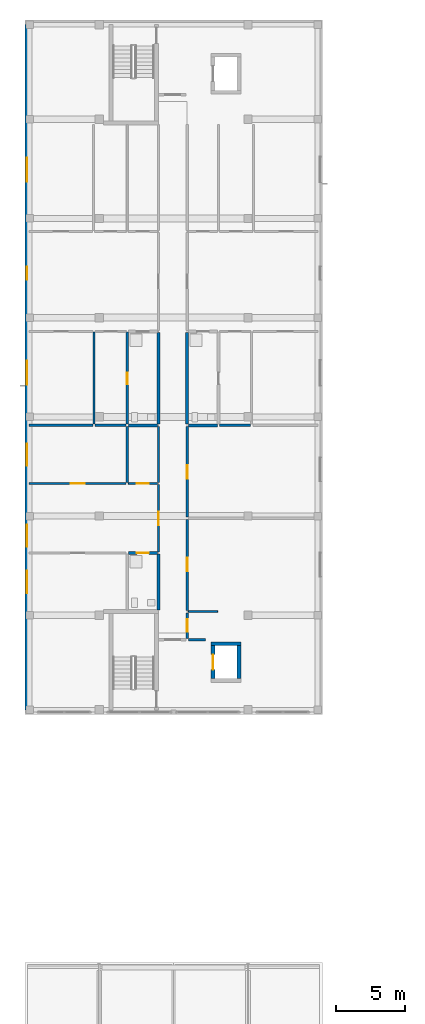
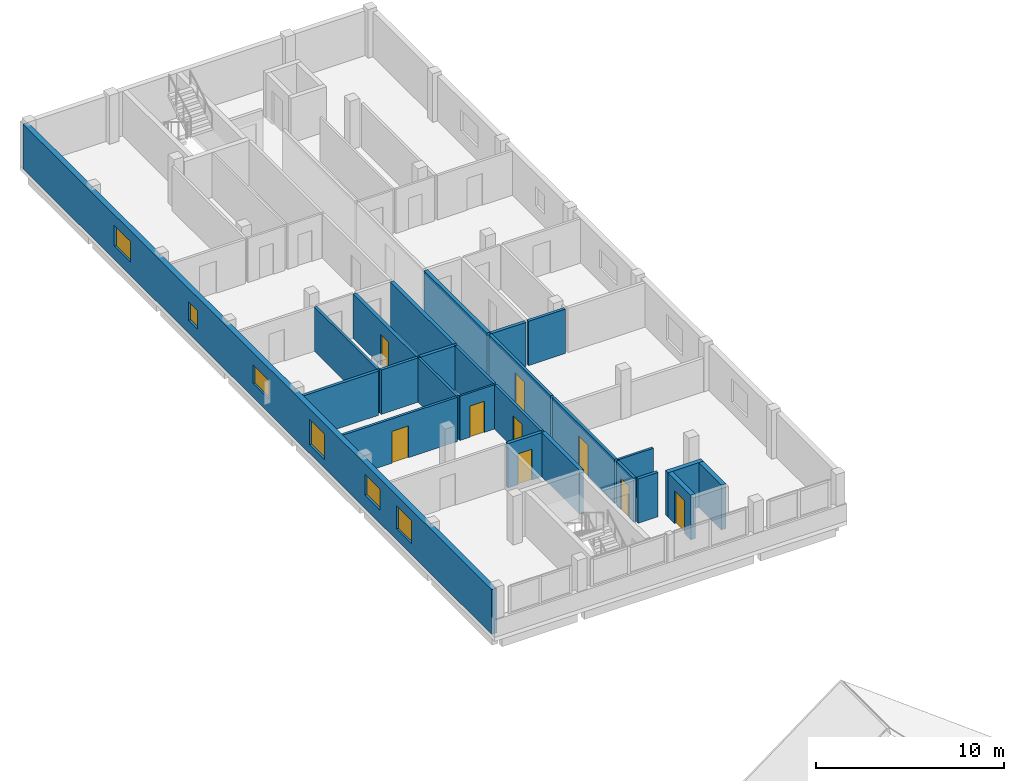
# One storey, part 12 of 35: 25 walls, 9 doors, 6 windows, 15 openings.
"""IFC4 building model written with IfcOpenShell, lengths in metres."""

from ifc_helpers import new_model, si_unit, derived_unit, direction, frame, frame_2d, origin, place, context, subcontext, project, spatial, rectangle, extrude, material, layer, layer_set, type_object, element, fill, save


model = new_model("IFC4")

# Units and contexts
model_context = context("Model", 3, precision=1e-05, world=origin(), true_north=direction((0.0, 1.0)))
body_context = subcontext(model_context, "Body", "Model", "MODEL_VIEW")
ifc_project = project(units=[si_unit("LENGTHUNIT", "METRE"), si_unit("AREAUNIT", "SQUARE_METRE"), si_unit("VOLUMEUNIT", "CUBIC_METRE"), si_unit("PLANEANGLEUNIT", "RADIAN"), si_unit("MASSUNIT", "GRAM", prefix="KILO"), derived_unit("THERMALTRANSMITTANCEUNIT", [(si_unit("MASSUNIT", "GRAM", prefix="KILO"), 1), (si_unit("TIMEUNIT", "SECOND"), -3), (si_unit("THERMODYNAMICTEMPERATUREUNIT", "KELVIN"), -1)])], contexts=[model_context])

# Site, building, storey
site_placement = place(None, origin())
site = spatial("IfcSite", under=ifc_project, at=site_placement, CompositionType="ELEMENT")
building_placement = place(site_placement, origin())
building = spatial("IfcBuilding", under=site, at=building_placement, Name="Ochrekiln Boulevard Commons", CompositionType="ELEMENT")
storey_placement = place(building_placement, frame((0.0, 0.0, 30.97509765625)))
storey = spatial("IfcBuildingStorey", under=building, at=storey_placement, Name="L09", CompositionType="ELEMENT", Elevation=30.97509765625)

# Wall, openings, windows
ifc_material_1 = material(Name="Desert ochre clinker brick masonry ASTM C216 Grade SW", Category="masonry")
ifc_layer_1 = layer(ifc_material_1, 0.320068359375)
ifc_layer_set_1 = layer_set([ifc_layer_1], Name="Desert ochre clinker brick masonry ASTM C216 Grade SW")
wall_type_1 = type_object("IfcWallType", Name="WL-EXT-OCHRE-320", PredefinedType="SOLIDWALL", material=ifc_layer_set_1)
wall_1_placement = place(storey_placement, frame((0.159912109375, 68.719970703125, 0.0), z_axis=(0.0, 0.0, 1.0), x_axis=(0.0, 1.0, 0.0)))
wall_1 = element("IfcWall", 1, at=wall_1_placement, inside=storey, type_object=wall_type_1, Name="Block A L09 W Exterior Wall", PredefinedType="SOLIDWALL", context=body_context, shape_type="SweptSolid", body=[
    extrude(rectangle(XDim=49.760009765625, YDim=0.320068359375, at=frame_2d((24.8798828125, 0.0))), origin(), (0.0, 0.0, 1.0), 2.89990234375),
])
opening_1_placement = place(wall_1_placement, frame((11.843994140625, 0.0, 0.864990234375)))
opening_1 = element("IfcOpeningElement", 2, at=opening_1_placement, cuts=wall_1, Name="Opening W-32", PredefinedType="OPENING", context=body_context, shape_type="SweptSolid", body=[
    extrude(rectangle(XDim=1.60009765625, YDim=1.35009765625, at=frame_2d((0.800048828125, 0.675048828125))), frame((0.0, 0.169921875, 0.0), z_axis=(0.0, -1.0, 0.0), x_axis=(1.0, 0.0, 0.0)), (0.0, 0.0, 1.0), 0.340087890625),
])
opening_2_placement = place(wall_1_placement, frame((8.4990234375, 0.0, 0.715087890625)))
opening_2 = element("IfcOpeningElement", 3, at=opening_2_placement, cuts=wall_1, Name="Opening W-33", PredefinedType="OPENING", context=body_context, shape_type="SweptSolid", body=[
    extrude(rectangle(XDim=1.60009765625, YDim=1.5, at=frame_2d((0.800048828125, 0.75))), frame((0.0, 0.169921875, 0.0), z_axis=(0.0, -1.0, 0.0), x_axis=(1.0, 0.0, 0.0)), (0.0, 0.0, 1.0), 0.340087890625),
])
opening_3_placement = place(wall_1_placement, frame((17.7470703125, 0.0, 0.56494140625)))
opening_3 = element("IfcOpeningElement", 4, at=opening_3_placement, cuts=wall_1, Name="Opening W-34", PredefinedType="OPENING", context=body_context, shape_type="SweptSolid", body=[
    extrude(rectangle(XDim=1.60009765625, YDim=1.64990234375, at=frame_2d((0.800048828125, 0.824951171875))), frame((0.0, 0.169921875, 0.0), z_axis=(0.0, -1.0, 0.0), x_axis=(1.0, 0.0, 0.0)), (0.0, 0.0, 1.0), 0.340087890625),
])
opening_4_placement = place(wall_1_placement, frame((31.22509765625, 0.0, 0.85009765625)))
opening_4 = element("IfcOpeningElement", 5, at=opening_4_placement, cuts=wall_1, Name="Opening W-01", PredefinedType="OPENING", context=body_context, shape_type="SweptSolid", body=[
    extrude(rectangle(XDim=0.949951171875, YDim=1.199951171875, at=frame_2d((0.47509765625, 0.60009765625))), frame((0.0, 0.169921875, 0.0), z_axis=(0.0, -1.0, 0.0), x_axis=(1.0, 0.0, 0.0)), (0.0, 0.0, 1.0), 0.340087890625),
])
opening_5_placement = place(wall_1_placement, frame((23.616943359375, 0.0, 0.89990234375)))
opening_5 = element("IfcOpeningElement", 6, at=opening_5_placement, cuts=wall_1, Name="Opening W-36", PredefinedType="OPENING", context=body_context, shape_type="SweptSolid", body=[
    extrude(rectangle(XDim=1.719970703125, YDim=1.199951171875, at=frame_2d((0.85986328125, 0.60009765625))), frame((0.0, 0.169921875, 0.0), z_axis=(0.0, -1.0, 0.0), x_axis=(1.0, 0.0, 0.0)), (0.0, 0.0, 1.0), 0.340087890625),
])
opening_6_placement = place(wall_1_placement, frame((38.35498046875, 0.0, 0.864990234375)))
opening_6 = element("IfcOpeningElement", 7, at=opening_6_placement, cuts=wall_1, Name="Opening W-37", PredefinedType="OPENING", context=body_context, shape_type="SweptSolid", body=[
    extrude(rectangle(XDim=1.719970703125, YDim=1.35009765625, at=frame_2d((0.85986328125, 0.675048828125))), frame((0.0, 0.169921875, 0.0), z_axis=(0.0, -1.0, 0.0), x_axis=(1.0, 0.0, 0.0)), (0.0, 0.0, 1.0), 0.340087890625),
])
ifc_material_2 = material(Name="Thermally broken aluminium-clad oak frame", Category="aluminium")
window_type_1 = type_object("IfcWindowType", Name="WIN-EXT-01", PartitioningType="SINGLE_PANEL", PredefinedType="WINDOW", material=ifc_material_2)
window_1_placement = place(opening_4_placement, origin())
window_1 = element("IfcWindow", 8, at=window_1_placement, inside=storey, type_object=window_type_1, Name="Block A L09 Punched Masonry Window W-01", OverallHeight=1.199951171875, OverallWidth=0.949951171875, PartitioningType="SINGLE_PANEL", PredefinedType="WINDOW", context=body_context, shape_type="SweptSolid", body=[
    extrude(rectangle(XDim=0.949951171875, YDim=1.199951171875, at=frame_2d((0.47509765625, 0.60009765625))), frame((0.0, 0.030029296875, 0.0), z_axis=(0.0, -1.0, 0.0), x_axis=(1.0, 0.0, 0.0)), (0.0, 0.0, 1.0), 0.06005859375),
])
fill(opening_4, window_1)
window_type_2 = type_object("IfcWindowType", Name="WIN-EXT-32", PartitioningType="DOUBLE_PANEL_VERTICAL", PredefinedType="WINDOW", material=ifc_material_2)
window_2_placement = place(opening_1_placement, origin())
window_2 = element("IfcWindow", 9, at=window_2_placement, inside=storey, type_object=window_type_2, Name="Block A L09 Punched Masonry Window W-32", OverallHeight=1.35009765625, OverallWidth=1.60009765625, PartitioningType="DOUBLE_PANEL_VERTICAL", PredefinedType="WINDOW", context=body_context, shape_type="SweptSolid", body=[
    extrude(rectangle(XDim=1.60009765625, YDim=1.35009765625, at=frame_2d((0.800048828125, 0.675048828125))), frame((0.0, 0.030029296875, 0.0), z_axis=(0.0, -1.0, 0.0), x_axis=(1.0, 0.0, 0.0)), (0.0, 0.0, 1.0), 0.06005859375),
])
fill(opening_1, window_2)
window_type_3 = type_object("IfcWindowType", Name="WIN-EXT-33", PartitioningType="DOUBLE_PANEL_VERTICAL", PredefinedType="WINDOW", material=ifc_material_2)
window_3_placement = place(opening_2_placement, origin())
window_3 = element("IfcWindow", 10, at=window_3_placement, inside=storey, type_object=window_type_3, Name="Block A L09 Punched Masonry Window W-33", OverallHeight=1.5, OverallWidth=1.60009765625, PartitioningType="DOUBLE_PANEL_VERTICAL", PredefinedType="WINDOW", context=body_context, shape_type="SweptSolid", body=[
    extrude(rectangle(XDim=1.60009765625, YDim=1.5, at=frame_2d((0.800048828125, 0.75))), frame((0.0, 0.030029296875, 0.0), z_axis=(0.0, -1.0, 0.0), x_axis=(1.0, 0.0, 0.0)), (0.0, 0.0, 1.0), 0.06005859375),
])
fill(opening_2, window_3)
window_type_4 = type_object("IfcWindowType", Name="WIN-EXT-34", PartitioningType="DOUBLE_PANEL_VERTICAL", PredefinedType="WINDOW", material=ifc_material_2)
window_4_placement = place(opening_3_placement, origin())
window_4 = element("IfcWindow", 11, at=window_4_placement, inside=storey, type_object=window_type_4, Name="Block A L09 Punched Masonry Window W-34", OverallHeight=1.64990234375, OverallWidth=1.60009765625, PartitioningType="DOUBLE_PANEL_VERTICAL", PredefinedType="WINDOW", context=body_context, shape_type="SweptSolid", body=[
    extrude(rectangle(XDim=1.60009765625, YDim=1.64990234375, at=frame_2d((0.800048828125, 0.824951171875))), frame((0.0, 0.030029296875, 0.0), z_axis=(0.0, -1.0, 0.0), x_axis=(1.0, 0.0, 0.0)), (0.0, 0.0, 1.0), 0.06005859375),
])
fill(opening_3, window_4)
window_type_5 = type_object("IfcWindowType", Name="WIN-EXT-36", PartitioningType="DOUBLE_PANEL_VERTICAL", PredefinedType="WINDOW", material=ifc_material_2)
window_5_placement = place(opening_5_placement, origin())
window_5 = element("IfcWindow", 12, at=window_5_placement, inside=storey, type_object=window_type_5, Name="Block A L09 Punched Masonry Window W-36", OverallHeight=1.199951171875, OverallWidth=1.719970703125, PartitioningType="DOUBLE_PANEL_VERTICAL", PredefinedType="WINDOW", context=body_context, shape_type="SweptSolid", body=[
    extrude(rectangle(XDim=1.719970703125, YDim=1.199951171875, at=frame_2d((0.85986328125, 0.60009765625))), frame((0.0, 0.030029296875, 0.0), z_axis=(0.0, -1.0, 0.0), x_axis=(1.0, 0.0, 0.0)), (0.0, 0.0, 1.0), 0.06005859375),
])
fill(opening_5, window_5)
window_type_6 = type_object("IfcWindowType", Name="WIN-EXT-37", PartitioningType="DOUBLE_PANEL_VERTICAL", PredefinedType="WINDOW", material=ifc_material_2)
window_6_placement = place(opening_6_placement, origin())
window_6 = element("IfcWindow", 13, at=window_6_placement, inside=storey, type_object=window_type_6, Name="Block A L09 Punched Masonry Window W-37", OverallHeight=1.35009765625, OverallWidth=1.719970703125, PartitioningType="DOUBLE_PANEL_VERTICAL", PredefinedType="WINDOW", context=body_context, shape_type="SweptSolid", body=[
    extrude(rectangle(XDim=1.719970703125, YDim=1.35009765625, at=frame_2d((0.85986328125, 0.675048828125))), frame((0.0, 0.030029296875, 0.0), z_axis=(0.0, -1.0, 0.0), x_axis=(1.0, 0.0, 0.0)), (0.0, 0.0, 1.0), 0.06005859375),
])
fill(opening_6, window_6)

# Wall, opening, door
ifc_material_3 = material(Name="Moisture-resistant cementitious tile backer wall")
ifc_layer_2 = layer(ifc_material_3, 0.199951171875)
ifc_layer_set_2 = layer_set([ifc_layer_2], Name="Moisture-resistant cementitious tile backer wall")
wall_type_2 = type_object("IfcWallType", Name="WL-PLM-200", PredefinedType="PLUMBINGWALL", material=ifc_layer_set_2)
wall_2_placement = place(storey_placement, frame((7.52001953125, 80.118896484375, 0.0), z_axis=(0.0, 0.0, 1.0), x_axis=(1.0, 0.0, 0.0)))
wall_2 = element("IfcWall", 14, at=wall_2_placement, inside=storey, type_object=wall_type_2, Name="L09 Interior Wall W-PW200", PredefinedType="PLUMBINGWALL", context=body_context, shape_type="SweptSolid", body=[
    extrude(rectangle(XDim=2.10791015625, YDim=0.199951171875, at=frame_2d((1.053955078125, 0.0))), origin(), (0.0, 0.0, 1.0), 2.869873046875),
])
opening_7_placement = place(wall_2_placement, frame((0.6201171875, 0.0, 0.0)))
opening_7 = element("IfcOpeningElement", 15, at=opening_7_placement, cuts=wall_2, Name="Opening D-L09-1104", PredefinedType="OPENING", context=body_context, shape_type="SweptSolid", body=[
    extrude(rectangle(XDim=0.860107421875, YDim=2.0, at=frame_2d((0.43017578125, 1.0))), frame((0.0, 0.10986328125, 0.0), z_axis=(0.0, -1.0, 0.0), x_axis=(1.0, 0.0, 0.0)), (0.0, 0.0, 1.0), 0.219970703125),
])
ifc_material_4 = material(Name="Solid core architectural oak door leaf")
door_type_1 = type_object("IfcDoorType", Name="DR-INT-BTH-086", OperationType="NOTDEFINED", PredefinedType="DOOR", material=ifc_material_4)
door_1_placement = place(opening_7_placement, frame((0.860107421875, 0.0, 0.0), z_axis=(0.0, 0.0, 1.0), x_axis=(-1.0, 0.0, 0.0)))
door_1 = element("IfcDoor", 16, at=door_1_placement, inside=storey, type_object=door_type_1, Name="L09 Interior Door to Accessible Apartment Bathroom", OperationType="SINGLE_SWING_RIGHT", OverallHeight=2.0, OverallWidth=0.860107421875, PredefinedType="DOOR", context=body_context, shape_type="SweptSolid", body=[
    extrude(rectangle(XDim=0.860107421875, YDim=2.0, at=frame_2d((0.43017578125, 1.0))), frame((0.0, 0.02490234375, 0.0), z_axis=(0.0, -1.0, 0.0), x_axis=(1.0, 0.0, 0.0)), (0.0, 0.0, 1.0), 0.050048828125),
])
fill(opening_7, door_1)

# Wall
wall_3_placement = place(storey_placement, frame((7.52001953125, 89.3759765625, 0.0), z_axis=(0.0, 0.0, 1.0), x_axis=(1.0, 0.0, 0.0)))
element("IfcWall", 17, at=wall_3_placement, inside=storey, type_object=wall_type_2, Name="L09 Interior Wall W-PW200", PredefinedType="PLUMBINGWALL", context=body_context, shape_type="SweptSolid", body=[
    extrude(rectangle(XDim=2.10791015625, YDim=0.199951171875, at=frame_2d((1.053955078125, 0.0))), origin(), (0.0, 0.0, 1.0), 2.869873046875),
])

# Wall, opening, door
wall_4_placement = place(storey_placement, frame((7.43994140625, 89.466064453125, 0.0), z_axis=(0.0, 0.0, 1.0), x_axis=(0.0, 1.0, 0.0)))
wall_4 = element("IfcWall", 18, at=wall_4_placement, inside=storey, type_object=wall_type_2, Name="L09 Interior Wall W-PW200", PredefinedType="PLUMBINGWALL", context=body_context, shape_type="SweptSolid", body=[
    extrude(rectangle(XDim=6.677978515625, YDim=0.199951171875, at=frame_2d((3.3388671875, 0.0))), origin(), (0.0, 0.0, 1.0), 2.869873046875),
])
opening_8_placement = place(wall_4_placement, frame((2.904052734375, 0.0, 0.0)))
opening_8 = element("IfcOpeningElement", 19, at=opening_8_placement, cuts=wall_4, Name="Opening D-L09-1114", PredefinedType="OPENING", context=body_context, shape_type="SweptSolid", body=[
    extrude(rectangle(XDim=0.85009765625, YDim=2.010009765625, at=frame_2d((0.425048828125, 1.0048828125))), frame((0.0, 0.10986328125, 0.0), z_axis=(0.0, -1.0, 0.0), x_axis=(1.0, 0.0, 0.0)), (0.0, 0.0, 1.0), 0.219970703125),
])
door_type_2 = type_object("IfcDoorType", Name="DR-INT-KIT-085", OperationType="NOTDEFINED", PredefinedType="DOOR", material=ifc_material_4)
door_2_placement = place(opening_8_placement, frame((0.85009765625, 0.0, 0.0), z_axis=(0.0, 0.0, 1.0), x_axis=(-1.0, 0.0, 0.0)))
door_2 = element("IfcDoor", 20, at=door_2_placement, inside=storey, type_object=door_type_2, Name="L09 Interior Door to Apartment Bathroom", OperationType="SINGLE_SWING_RIGHT", OverallHeight=2.010009765625, OverallWidth=0.85009765625, PredefinedType="DOOR", context=body_context, shape_type="SweptSolid", body=[
    extrude(rectangle(XDim=0.85009765625, YDim=2.010009765625, at=frame_2d((0.425048828125, 1.0048828125))), frame((0.0, 0.02490234375, 0.0), z_axis=(0.0, -1.0, 0.0), x_axis=(1.0, 0.0, 0.0)), (0.0, 0.0, 1.0), 0.050048828125),
])
fill(opening_8, door_2)

# Walls
wall_5_placement = place(storey_placement, frame((11.8720703125, 89.3759765625, 0.0), z_axis=(0.0, 0.0, 1.0), x_axis=(1.0, 0.0, 0.0)))
element("IfcWall", 21, at=wall_5_placement, inside=storey, type_object=wall_type_2, Name="L09 Interior Wall W-PW200", PredefinedType="PLUMBINGWALL", context=body_context, shape_type="SweptSolid", body=[
    extrude(rectangle(XDim=2.10791015625, YDim=0.199951171875, at=frame_2d((1.053955078125, 0.0))), origin(), (0.0, 0.0, 1.0), 2.869873046875),
])
ifc_layer_3 = layer(ifc_material_3, 0.219970703125)
ifc_layer_set_3 = layer_set([ifc_layer_3], Name="Moisture-resistant cementitious tile backer wall")
wall_type_3 = type_object("IfcWallType", Name="WL-PLM-220", PredefinedType="PLUMBINGWALL", material=ifc_layer_set_3)
wall_6_placement = place(storey_placement, frame((9.7099609375, 76.0, 0.0), z_axis=(0.0, 0.0, 1.0), x_axis=(0.0, 1.0, 0.0)))
element("IfcWall", 22, at=wall_6_placement, inside=storey, type_object=wall_type_3, Name="L09 Interior Wall W-PW220", PredefinedType="PLUMBINGWALL", context=body_context, shape_type="SweptSolid", body=[
    extrude(rectangle(XDim=4.0390625, YDim=0.219970703125, at=frame_2d((2.01953125, 0.0))), origin(), (0.0, 0.0, 1.0), 2.869873046875),
])
for number, where, z_axis, x_axis, name in (
    (23, (9.7099609375, 89.466064453125, 0.0), (0.0, 0.0, 1.0), (0.0, 1.0, 0.0), "L09 Interior Wall W-PW220"),
    (24, (11.7900390625, 89.466064453125, 0.0), (0.0, 0.0, 1.0), (0.0, 1.0, 0.0), "L09 Interior Wall W-PW220"),
):
    element("IfcWall", number, at=place(storey_placement, frame(where, z_axis=z_axis, x_axis=x_axis)), inside=storey, type_object=wall_type_3, Name=name, PredefinedType="PLUMBINGWALL", context=body_context, shape_type="SweptSolid", body=[
        extrude(rectangle(XDim=6.657958984375, YDim=0.219970703125, at=frame_2d((3.3291015625, 0.0))), origin(), (0.0, 0.0, 1.0), 2.869873046875),
    ])
ifc_material_5 = material(Name="Fire-rated Type X gypsum board on steel studs", Category="steel")
ifc_layer_4 = layer(ifc_material_5, 0.139892578125)
ifc_layer_set_4 = layer_set([ifc_layer_4], Name="Fire-rated Type X gypsum board on steel studs")
wall_type_4 = type_object("IfcWallType", Name="WL-PT-ACO-140", PredefinedType="PARTITIONING", material=ifc_layer_set_4)
wall_7_placement = place(storey_placement, frame((11.8720703125, 75.875, 0.0), z_axis=(0.0, 0.0, 1.0), x_axis=(1.0, 0.0, 0.0)))
element("IfcWall", 25, at=wall_7_placement, inside=storey, type_object=wall_type_4, Name="L09 Interior Wall W-PA140", PredefinedType="PARTITIONING", context=body_context, shape_type="SweptSolid", body=[
    extrude(rectangle(XDim=2.1279296875, YDim=0.139892578125, at=frame_2d((1.06396484375, 0.0))), origin(), (0.0, 0.0, 1.0), 2.869873046875),
])

# Wall, opening, door
ifc_layer_5 = layer(ifc_material_5, 0.1650390625)
ifc_layer_set_5 = layer_set([ifc_layer_5], Name="Fire-rated Type X gypsum board on steel studs")
wall_type_5 = type_object("IfcWallType", Name="WL-PT-CORR-165", PredefinedType="PARTITIONING", material=ifc_layer_set_5)
wall_8_placement = place(storey_placement, frame((11.7900390625, 73.929931640625, 0.0), z_axis=(0.0, 0.0, 1.0), x_axis=(0.0, 1.0, 0.0)))
wall_8 = element("IfcWall", 26, at=wall_8_placement, inside=storey, type_object=wall_type_5, Name="L09 Interior Wall W-PC165", PredefinedType="PARTITIONING", context=body_context, shape_type="SweptSolid", body=[
    extrude(rectangle(XDim=1.820068359375, YDim=0.1650390625, at=frame_2d((0.91015625, 0.0))), origin(), (0.0, 0.0, 1.0), 2.869873046875),
])
opening_9_placement = place(wall_8_placement, frame((0.4599609375, 0.0, 0.0)))
opening_9 = element("IfcOpeningElement", 27, at=opening_9_placement, cuts=wall_8, Name="Opening D-L09-1098", PredefinedType="OPENING", context=body_context, shape_type="SweptSolid", body=[
    extrude(rectangle(XDim=0.919921875, YDim=2.0400390625, at=frame_2d((0.4599609375, 1.02001953125))), frame((0.0, 0.092529296875, 0.0), z_axis=(0.0, -1.0, 0.0), x_axis=(1.0, 0.0, 0.0)), (0.0, 0.0, 1.0), 0.18505859375),
])
ifc_material_6 = material(Name="Hollow metal fire-rated steel door assembly", Category="steel")
door_type_3 = type_object("IfcDoorType", Name="DR-SRV-90", OperationType="NOTDEFINED", PredefinedType="DOOR", material=ifc_material_6)
door_3_placement = place(opening_9_placement, frame((0.919921875, 0.0, 0.0), z_axis=(0.0, 0.0, 1.0), x_axis=(-1.0, 0.0, 0.0)))
door_3 = element("IfcDoor", 28, at=door_3_placement, inside=storey, type_object=door_type_3, Name="L09 Interior Door to Hydronic and Electrical Riser Room", OperationType="SINGLE_SWING_RIGHT", OverallHeight=2.0400390625, OverallWidth=0.919921875, PredefinedType="DOOR", context=body_context, shape_type="SweptSolid", body=[
    extrude(rectangle(XDim=0.919921875, YDim=2.0400390625, at=frame_2d((0.4599609375, 1.02001953125))), frame((0.0, 0.02490234375, 0.0), z_axis=(0.0, -1.0, 0.0), x_axis=(1.0, 0.0, 0.0)), (0.0, 0.0, 1.0), 0.050048828125),
])
fill(opening_9, door_3)

wall_9_placement = place(storey_placement, frame((9.7099609375, 80.198974609375, 0.0), z_axis=(0.0, 0.0, 1.0), x_axis=(0.0, 1.0, 0.0)))
wall_9 = element("IfcWall", 29, at=wall_9_placement, inside=storey, type_object=wall_type_5, Name="L09 Interior Wall W-PC165", PredefinedType="PARTITIONING", context=body_context, shape_type="SweptSolid", body=[
    extrude(rectangle(XDim=4.887939453125, YDim=0.1650390625, at=frame_2d((2.44384765625, 0.0))), origin(), (0.0, 0.0, 1.0), 2.869873046875),
])
opening_10_placement = place(wall_9_placement, frame((1.9541015625, 0.0, 0.0)))
opening_10 = element("IfcOpeningElement", 30, at=opening_10_placement, cuts=wall_9, Name="Opening D-L09-1099", PredefinedType="OPENING", context=body_context, shape_type="SweptSolid", body=[
    extrude(rectangle(XDim=0.97998046875, YDim=2.080078125, at=frame_2d((0.489990234375, 1.0400390625))), frame((0.0, 0.092529296875, 0.0), z_axis=(0.0, -1.0, 0.0), x_axis=(1.0, 0.0, 0.0)), (0.0, 0.0, 1.0), 0.18505859375),
])
door_type_4 = type_object("IfcDoorType", Name="DR-APT-60", OperationType="NOTDEFINED", PredefinedType="DOOR", material=ifc_material_4)
door_4_placement = place(opening_10_placement, origin())
door_4 = element("IfcDoor", 31, at=door_4_placement, inside=storey, type_object=door_type_4, Name="L09 Interior Door to Two-Bedroom Apartment Living Room", OperationType="SINGLE_SWING_LEFT", OverallHeight=2.080078125, OverallWidth=0.97998046875, PredefinedType="DOOR", context=body_context, shape_type="SweptSolid", body=[
    extrude(rectangle(XDim=0.97998046875, YDim=2.080078125, at=frame_2d((0.489990234375, 1.0400390625))), frame((0.0, 0.02490234375, 0.0), z_axis=(0.0, -1.0, 0.0), x_axis=(1.0, 0.0, 0.0)), (0.0, 0.0, 1.0), 0.050048828125),
])
fill(opening_10, door_4)

# Wall
wall_10_placement = place(storey_placement, frame((9.7099609375, 85.2470703125, 0.0), z_axis=(0.0, 0.0, 1.0), x_axis=(0.0, 1.0, 0.0)))
element("IfcWall", 32, at=wall_10_placement, inside=storey, type_object=wall_type_5, Name="L09 Interior Wall W-PC165", PredefinedType="PARTITIONING", context=body_context, shape_type="SweptSolid", body=[
    extrude(rectangle(XDim=4.038818359375, YDim=0.1650390625, at=frame_2d((2.01953125, 0.0))), origin(), (0.0, 0.0, 1.0), 2.869873046875),
])

# Wall, opening, door
wall_11_placement = place(storey_placement, frame((11.7900390625, 75.945068359375, 0.0), z_axis=(0.0, 0.0, 1.0), x_axis=(0.0, 1.0, 0.0)))
wall_11 = element("IfcWall", 33, at=wall_11_placement, inside=storey, type_object=wall_type_5, Name="L09 Interior Wall W-PC165", PredefinedType="PARTITIONING", context=body_context, shape_type="SweptSolid", body=[
    extrude(rectangle(XDim=6.60791015625, YDim=0.1650390625, at=frame_2d((3.303955078125, 0.0))), origin(), (0.0, 0.0, 1.0), 2.869873046875),
])
opening_11_placement = place(wall_11_placement, frame((2.842041015625, 0.0, 0.0)))
opening_11 = element("IfcOpeningElement", 34, at=opening_11_placement, cuts=wall_11, Name="Opening D-L09-1101", PredefinedType="OPENING", context=body_context, shape_type="SweptSolid", body=[
    extrude(rectangle(XDim=0.97998046875, YDim=2.080078125, at=frame_2d((0.489990234375, 1.0400390625))), frame((0.0, 0.092529296875, 0.0), z_axis=(0.0, -1.0, 0.0), x_axis=(1.0, 0.0, 0.0)), (0.0, 0.0, 1.0), 0.18505859375),
])
door_5_placement = place(opening_11_placement, frame((0.97998046875, 0.0, 0.0), z_axis=(0.0, 0.0, 1.0), x_axis=(-1.0, 0.0, 0.0)))
door_5 = element("IfcDoor", 35, at=door_5_placement, inside=storey, type_object=door_type_4, Name="L09 Interior Door to Resident Study Lounge", OperationType="SINGLE_SWING_LEFT", OverallHeight=2.080078125, OverallWidth=0.97998046875, PredefinedType="DOOR", context=body_context, shape_type="SweptSolid", body=[
    extrude(rectangle(XDim=0.97998046875, YDim=2.080078125, at=frame_2d((0.489990234375, 1.0400390625))), frame((0.0, 0.02490234375, 0.0), z_axis=(0.0, -1.0, 0.0), x_axis=(1.0, 0.0, 0.0)), (0.0, 0.0, 1.0), 0.050048828125),
])
fill(opening_11, door_5)

wall_12_placement = place(storey_placement, frame((11.7900390625, 82.73291015625, 0.0), z_axis=(0.0, 0.0, 1.0), x_axis=(0.0, 1.0, 0.0)))
wall_12 = element("IfcWall", 36, at=wall_12_placement, inside=storey, type_object=wall_type_5, Name="L09 Interior Wall W-PC165", PredefinedType="PARTITIONING", context=body_context, shape_type="SweptSolid", body=[
    extrude(rectangle(XDim=6.552978515625, YDim=0.1650390625, at=frame_2d((3.2763671875, 0.0))), origin(), (0.0, 0.0, 1.0), 2.869873046875),
])
opening_12_placement = place(wall_12_placement, frame((2.785888671875, 0.0, 0.0)))
opening_12 = element("IfcOpeningElement", 37, at=opening_12_placement, cuts=wall_12, Name="Opening D-L09-1102", PredefinedType="OPENING", context=body_context, shape_type="SweptSolid", body=[
    extrude(rectangle(XDim=0.97998046875, YDim=2.080078125, at=frame_2d((0.489990234375, 1.0400390625))), frame((0.0, 0.092529296875, 0.0), z_axis=(0.0, -1.0, 0.0), x_axis=(1.0, 0.0, 0.0)), (0.0, 0.0, 1.0), 0.18505859375),
])
door_6_placement = place(opening_12_placement, frame((0.97998046875, 0.0, 0.0), z_axis=(0.0, 0.0, 1.0), x_axis=(-1.0, 0.0, 0.0)))
door_6 = element("IfcDoor", 38, at=door_6_placement, inside=storey, type_object=door_type_4, Name="L09 Interior Door to Resident Reading Library", OperationType="SINGLE_SWING_RIGHT", OverallHeight=2.080078125, OverallWidth=0.97998046875, PredefinedType="DOOR", context=body_context, shape_type="SweptSolid", body=[
    extrude(rectangle(XDim=0.97998046875, YDim=2.080078125, at=frame_2d((0.489990234375, 1.0400390625))), frame((0.0, 0.02490234375, 0.0), z_axis=(0.0, -1.0, 0.0), x_axis=(1.0, 0.0, 0.0)), (0.0, 0.0, 1.0), 0.050048828125),
])
fill(opening_12, door_6)

# Walls
ifc_layer_6 = layer(ifc_material_5, 0.179931640625)
ifc_layer_set_6 = layer_set([ifc_layer_6], Name="Fire-rated Type X gypsum board on steel studs")
wall_type_6 = type_object("IfcWallType", Name="WL-PT-DEM-180", PredefinedType="PARTITIONING", material=ifc_layer_set_6)
wall_13_placement = place(storey_placement, frame((0.320068359375, 89.3759765625, 0.0), z_axis=(0.0, 0.0, 1.0), x_axis=(1.0, 0.0, 0.0)))
element("IfcWall", 39, at=wall_13_placement, inside=storey, type_object=wall_type_6, Name="L09 Interior Wall W-PD180", PredefinedType="PARTITIONING", context=body_context, shape_type="SweptSolid", body=[
    extrude(rectangle(XDim=4.6298828125, YDim=0.179931640625, at=frame_2d((2.31494140625, 0.0))), origin(), (0.0, 0.0, 1.0), 2.869873046875),
])
for number, where, z_axis, x_axis, name in (
    (40, (5.110107421875, 89.3759765625, 0.0), (0.0, 0.0, 1.0), (1.0, 0.0, 0.0), "L09 Interior Wall W-PD180"),
    (41, (14.139892578125, 89.3759765625, 0.0), (0.0, 0.0, 1.0), (1.0, 0.0, 0.0), "L09 Interior Wall W-PD180"),
):
    element("IfcWall", number, at=place(storey_placement, frame(where, z_axis=z_axis, x_axis=x_axis)), inside=storey, type_object=wall_type_6, Name=name, PredefinedType="PARTITIONING", context=body_context, shape_type="SweptSolid", body=[
        extrude(rectangle(XDim=2.25, YDim=0.179931640625, at=frame_2d((1.125, 0.0))), origin(), (0.0, 0.0, 1.0), 2.869873046875),
    ])
ifc_layer_7 = layer(ifc_material_5, 0.18994140625)
ifc_layer_set_7 = layer_set([ifc_layer_7], Name="Fire-rated Type X gypsum board on steel studs")
wall_type_7 = type_object("IfcWallType", Name="WL-PT-LBY-190", PredefinedType="PARTITIONING", material=ifc_layer_set_7)
wall_14_placement = place(storey_placement, frame((11.8798828125, 73.8349609375, 0.0), z_axis=(0.0, 0.0, 1.0), x_axis=(1.0, 0.0, 0.0)))
element("IfcWall", 42, at=wall_14_placement, inside=storey, type_object=wall_type_7, Name="L09 Interior Wall W-PL190", PredefinedType="PARTITIONING", context=body_context, shape_type="SweptSolid", body=[
    extrude(rectangle(XDim=1.22021484375, YDim=0.18994140625, at=frame_2d((0.610107421875, 0.0))), origin(), (0.0, 0.0, 1.0), 2.869873046875),
])

# Wall, opening, door
ifc_layer_8 = layer(ifc_material_5, 0.1201171875)
ifc_layer_set_8 = layer_set([ifc_layer_8], Name="Fire-rated Type X gypsum board on steel studs")
wall_type_8 = type_object("IfcWallType", Name="WL-PT-LGT-120", PredefinedType="PARTITIONING", material=ifc_layer_set_8)
wall_15_placement = place(storey_placement, frame((7.52001953125, 85.1669921875, 0.0), z_axis=(0.0, 0.0, 1.0), x_axis=(1.0, 0.0, 0.0)))
wall_15 = element("IfcWall", 43, at=wall_15_placement, inside=storey, type_object=wall_type_8, Name="L09 Interior Wall W-PL120", PredefinedType="PARTITIONING", context=body_context, shape_type="SweptSolid", body=[
    extrude(rectangle(XDim=2.10791015625, YDim=0.1201171875, at=frame_2d((1.053955078125, 0.0))), origin(), (0.0, 0.0, 1.0), 2.869873046875),
])
opening_13_placement = place(wall_15_placement, frame((0.610107421875, 0.0, 0.0)))
opening_13 = element("IfcOpeningElement", 44, at=opening_13_placement, cuts=wall_15, Name="Opening D-L09-1105", PredefinedType="OPENING", context=body_context, shape_type="SweptSolid", body=[
    extrude(rectangle(XDim=0.8798828125, YDim=2.02001953125, at=frame_2d((0.43994140625, 1.010009765625))), frame((0.0, 0.070068359375, 0.0), z_axis=(0.0, -1.0, 0.0), x_axis=(1.0, 0.0, 0.0)), (0.0, 0.0, 1.0), 0.14013671875),
])
door_type_5 = type_object("IfcDoorType", Name="DR-INT-KIT-088", OperationType="NOTDEFINED", PredefinedType="DOOR", material=ifc_material_4)
door_7_placement = place(opening_13_placement, origin())
door_7 = element("IfcDoor", 45, at=door_7_placement, inside=storey, type_object=door_type_5, Name="L09 Interior Door to Apartment Kitchen", OperationType="SINGLE_SWING_LEFT", OverallHeight=2.02001953125, OverallWidth=0.8798828125, PredefinedType="DOOR", context=body_context, shape_type="SweptSolid", body=[
    extrude(rectangle(XDim=0.8798828125, YDim=2.02001953125, at=frame_2d((0.43994140625, 1.010009765625))), frame((0.0, 0.02490234375, 0.0), z_axis=(0.0, -1.0, 0.0), x_axis=(1.0, 0.0, 0.0)), (0.0, 0.0, 1.0), 0.050048828125),
])
fill(opening_13, door_7)

ifc_layer_9 = layer(ifc_material_5, 0.14990234375)
ifc_layer_set_9 = layer_set([ifc_layer_9], Name="Fire-rated Type X gypsum board on steel studs")
wall_type_9 = type_object("IfcWallType", Name="WL-PT-STD-150", PredefinedType="PARTITIONING", material=ifc_layer_set_9)
wall_16_placement = place(storey_placement, frame((0.320068359375, 85.1669921875, 0.0), z_axis=(0.0, 0.0, 1.0), x_axis=(1.0, 0.0, 0.0)))
wall_16 = element("IfcWall", 46, at=wall_16_placement, inside=storey, type_object=wall_type_9, Name="L09 Interior Wall W-PS150", PredefinedType="PARTITIONING", context=body_context, shape_type="SweptSolid", body=[
    extrude(rectangle(XDim=7.0400390625, YDim=0.14990234375, at=frame_2d((3.52001953125, 0.0))), origin(), (0.0, 0.0, 1.0), 2.869873046875),
])
opening_14_placement = place(wall_16_placement, frame((3.034912109375, 0.0, 0.0)))
opening_14 = element("IfcOpeningElement", 47, at=opening_14_placement, cuts=wall_16, Name="Opening D-L09-1107", PredefinedType="OPENING", context=body_context, shape_type="SweptSolid", body=[
    extrude(rectangle(XDim=1.0, YDim=2.06005859375, at=frame_2d((0.5, 1.030029296875))), frame((0.0, 0.0849609375, 0.0), z_axis=(0.0, -1.0, 0.0), x_axis=(1.0, 0.0, 0.0)), (0.0, 0.0, 1.0), 0.169921875),
])
door_type_6 = type_object("IfcDoorType", Name="DR-INT-BED-100", OperationType="NOTDEFINED", PredefinedType="DOOR", material=ifc_material_4)
door_8_placement = place(opening_14_placement, origin())
door_8 = element("IfcDoor", 48, at=door_8_placement, inside=storey, type_object=door_type_6, Name="L09 Interior Door to Secondary Apartment Bedroom", OperationType="SINGLE_SWING_LEFT", OverallHeight=2.06005859375, OverallWidth=1.0, PredefinedType="DOOR", context=body_context, shape_type="SweptSolid", body=[
    extrude(rectangle(XDim=1.0, YDim=2.06005859375, at=frame_2d((0.5, 1.030029296875))), frame((0.0, 0.02490234375, 0.0), z_axis=(0.0, -1.0, 0.0), x_axis=(1.0, 0.0, 0.0)), (0.0, 0.0, 1.0), 0.050048828125),
])
fill(opening_14, door_8)

# Walls
wall_17_placement = place(storey_placement, frame((7.43994140625, 85.22705078125, 0.0), z_axis=(0.0, 0.0, 1.0), x_axis=(0.0, 1.0, 0.0)))
element("IfcWall", 49, at=wall_17_placement, inside=storey, type_object=wall_type_9, Name="L09 Interior Wall W-PS150", PredefinedType="PARTITIONING", context=body_context, shape_type="SweptSolid", body=[
    extrude(rectangle(XDim=4.058837890625, YDim=0.14990234375, at=frame_2d((2.029296875, 0.0))), origin(), (0.0, 0.0, 1.0), 2.869873046875),
])
wall_18_placement = place(storey_placement, frame((5.030029296875, 89.466064453125, 0.0), z_axis=(0.0, 0.0, 1.0), x_axis=(0.0, 1.0, 0.0)))
element("IfcWall", 50, at=wall_18_placement, inside=storey, type_object=wall_type_9, Name="L09 Interior Wall W-PS150", PredefinedType="PARTITIONING", context=body_context, shape_type="SweptSolid", body=[
    extrude(rectangle(XDim=6.677978515625, YDim=0.14990234375, at=frame_2d((3.3388671875, 0.0))), origin(), (0.0, 0.0, 1.0), 2.869873046875),
])
ifc_material_7 = material(Name="Concrete C40/50", Category="concrete")
ifc_layer_10 = layer(ifc_material_7, 0.27490234375)
ifc_layer_set_10 = layer_set([ifc_layer_10], Name="Concrete C40/50")
wall_type_10 = type_object("IfcWallType", Name="WL-SH-275", PredefinedType="SHEAR", material=ifc_layer_set_10)
wall_19_placement = place(storey_placement, frame((13.52490234375, 73.53759765625, 0.0), z_axis=(0.0, 0.0, 1.0), x_axis=(1.0, 0.0, 0.0)))
element("IfcWall", 51, at=wall_19_placement, inside=storey, type_object=wall_type_10, Name="Elevator FF-A1 L09 Hoistway Shear Wall", PredefinedType="SHEAR", context=body_context, shape_type="SweptSolid", body=[
    extrude(rectangle(XDim=2.150146484375, YDim=0.27490234375, at=frame_2d((1.0751953125, 0.0))), origin(), (0.0, 0.0, 1.0), 2.89990234375),
])

# Wall, opening, door
wall_20_placement = place(storey_placement, frame((13.66259765625, 71.0, 0.0), z_axis=(0.0, 0.0, 1.0), x_axis=(0.0, 1.0, 0.0)))
wall_20 = element("IfcWall", 52, at=wall_20_placement, inside=storey, type_object=wall_type_10, Name="Elevator FF-A1 L09 Hoistway Shear Wall", PredefinedType="SHEAR", context=body_context, shape_type="SweptSolid", body=[
    extrude(rectangle(XDim=2.39990234375, YDim=0.27490234375, at=frame_2d((1.199951171875, 0.0))), origin(), (0.0, 0.0, 1.0), 2.89990234375),
])
opening_15_placement = place(wall_20_placement, frame((0.64990234375, 0.0, 0.0)))
opening_15 = element("IfcOpeningElement", 53, at=opening_15_placement, cuts=wall_20, Name="Opening LD-FF-A1-L09", PredefinedType="OPENING", context=body_context, shape_type="SweptSolid", body=[
    extrude(rectangle(XDim=1.10009765625, YDim=2.14990234375, at=frame_2d((0.550048828125, 1.074951171875))), frame((0.0, 0.1474609375, 0.0), z_axis=(0.0, -1.0, 0.0), x_axis=(1.0, 0.0, 0.0)), (0.0, 0.0, 1.0), 0.294921875),
])
ifc_material_8 = material(Name="Brushed stainless steel 316 elevator cab and doors", Category="steel")
door_type_7 = type_object("IfcDoorType", Name="DR-LIFT-LD90", OperationType="SLIDING_TO_LEFT", PredefinedType="DOOR", material=ifc_material_8)
door_9_placement = place(opening_15_placement, origin())
door_9 = element("IfcDoor", 54, at=door_9_placement, inside=storey, type_object=door_type_7, Name="Elevator FF-A1 L09 Sliding Landing Door LD-FF-A1-L09", OperationType="SLIDING_TO_LEFT", OverallHeight=2.14990234375, OverallWidth=1.10009765625, PredefinedType="DOOR", context=body_context, shape_type="SweptSolid", body=[
    extrude(rectangle(XDim=1.10009765625, YDim=2.14990234375, at=frame_2d((0.550048828125, 1.074951171875))), frame((0.0, 0.02490234375, 0.0), z_axis=(0.0, -1.0, 0.0), x_axis=(1.0, 0.0, 0.0)), (0.0, 0.0, 1.0), 0.050048828125),
])
fill(opening_15, door_9)

# Wall
wall_21_placement = place(storey_placement, frame((15.53759765625, 71.0, 0.0), z_axis=(0.0, 0.0, 1.0), x_axis=(0.0, 1.0, 0.0)))
element("IfcWall", 55, at=wall_21_placement, inside=storey, type_object=wall_type_10, Name="Elevator FF-A1 L09 Hoistway Shear Wall", PredefinedType="SHEAR", context=body_context, shape_type="SweptSolid", body=[
    extrude(rectangle(XDim=2.39990234375, YDim=0.27490234375, at=frame_2d((1.199951171875, 0.0))), origin(), (0.0, 0.0, 1.0), 2.89990234375),
])

save(model, "model.ifc")
